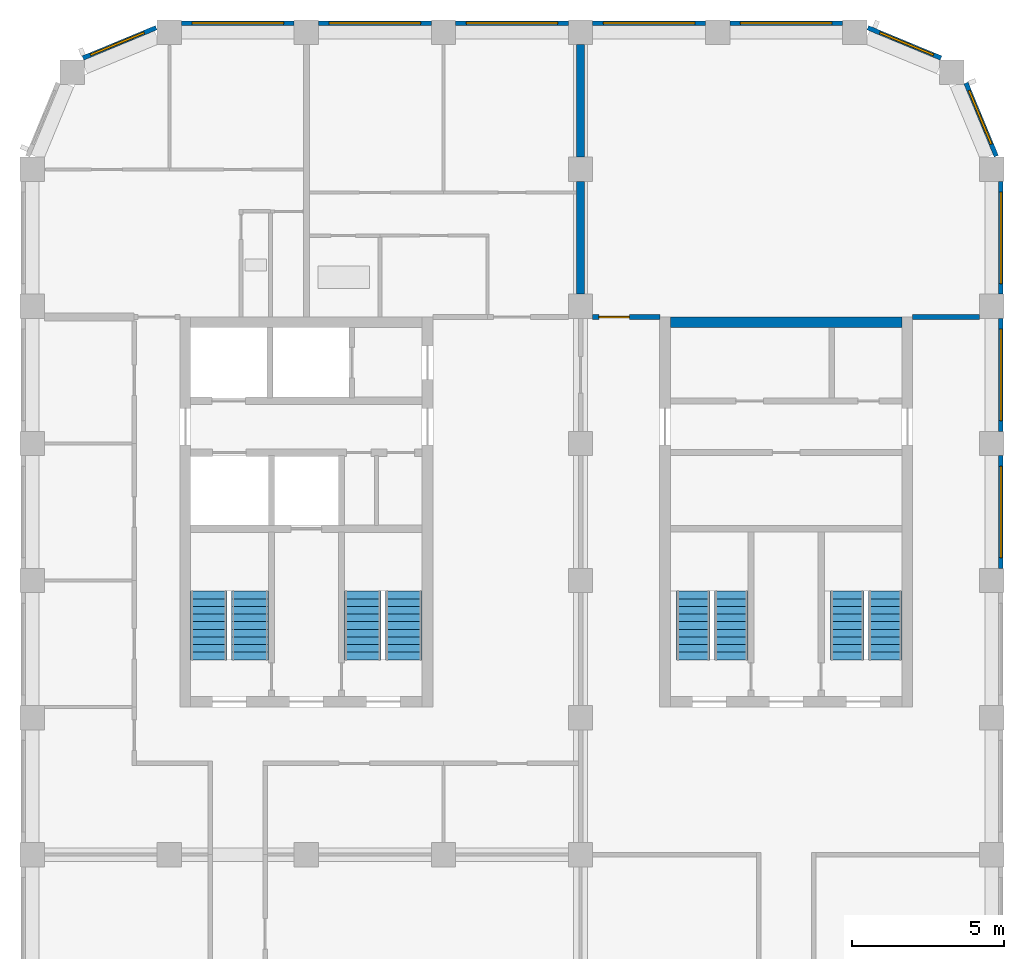
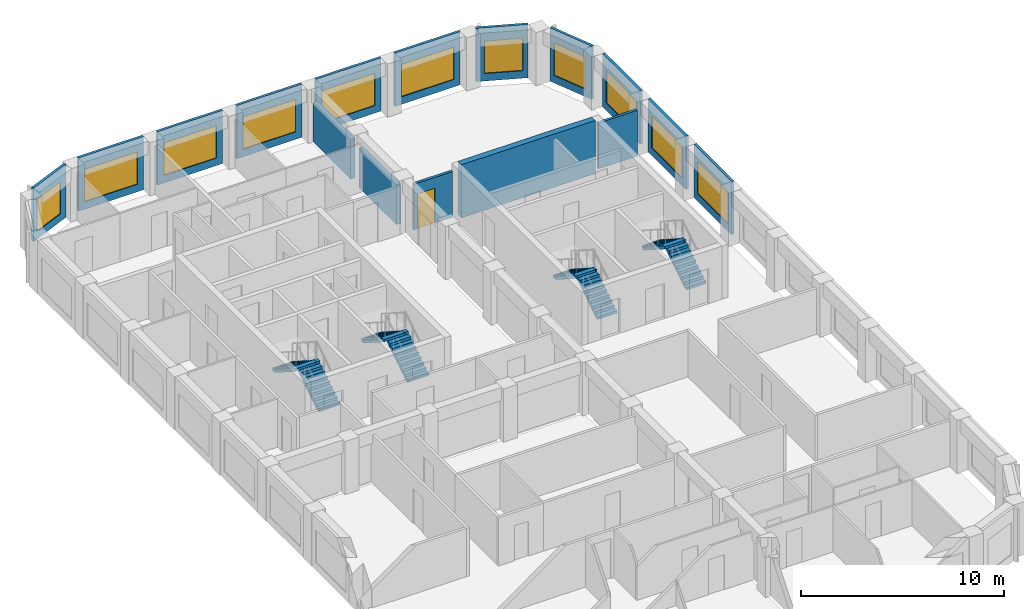
# One storey, part 7 of 9: 16 walls, 11 windows, 8 stair flights, 1 door, 12 openings, 4 elements without a shape of their own.
"""IFC4 building model written with IfcOpenShell, lengths in metres."""

from ifc_helpers import new_model, si_unit, direction, frame, frame_2d, origin, place, context, subcontext, project, spatial, polyline, rectangle, outline, extrude, material, layer, layer_set, type_object, element, fill, aggregate, save


model = new_model("IFC4")

# Units and contexts
model_context = context("Model", 3, precision=1e-05, world=origin(), true_north=direction((0.0, 1.0)))
body_context = subcontext(model_context, "Body", "Model", "MODEL_VIEW")
ifc_project = project(units=[si_unit("LENGTHUNIT", "METRE"), si_unit("AREAUNIT", "SQUARE_METRE"), si_unit("VOLUMEUNIT", "CUBIC_METRE"), si_unit("PLANEANGLEUNIT", "RADIAN"), si_unit("MASSUNIT", "GRAM", prefix="KILO")], contexts=[model_context])

# Site, building, storey
site_placement = place(None, origin())
site = spatial("IfcSite", under=ifc_project, at=site_placement, CompositionType="ELEMENT")
building_placement = place(site_placement, origin())
building = spatial("IfcBuilding", under=site, at=building_placement, Name="Girih Gate Residences", CompositionType="ELEMENT")
storey_placement = place(building_placement, frame((0.0, 0.0, 226.094970703125)))
storey = spatial("IfcBuildingStorey", under=building, at=storey_placement, Name="L63", CompositionType="ELEMENT", Elevation=226.094970703125)

# Walls
ifc_material_1 = material(Name="Gypsum board on steel studs", Category="steel")
ifc_layer_1 = layer(ifc_material_1, 0.25)
ifc_layer_set_1 = layer_set([ifc_layer_1], Name="Acoustic separating wall 250 mm")
wall_type_1 = type_object("IfcWallType", Name="Acoustic separating wall 250 mm", PredefinedType="PARTITIONING", material=ifc_layer_set_1)
for number, where, z_axis, x_axis, name in (
    (1, (18.0, 45.39990234375, 0.0), (0.0, 0.0, 1.0), (0.0, 1.0, 0.0), "L63 partition"),
    (2, (18.0, 40.89990234375, 0.0), (0.0, 0.0, 1.0), (0.0, 1.0, 0.0), "L63 partition"),
):
    element("IfcWall", number, at=place(storey_placement, frame(where, z_axis=z_axis, x_axis=x_axis)), inside=storey, type_object=wall_type_1, Name=name, PredefinedType="PARTITIONING", context=body_context, shape_type="SweptSolid", body=[
        extrude(rectangle(XDim=3.7001953125, YDim=0.25, at=frame_2d((1.85009765625, 0.0))), origin(), (0.0, 0.0, 1.0), 2.380126953125),
    ])

# Wall, opening, door
ifc_layer_2 = layer(ifc_material_1, 0.14990234375)
ifc_layer_set_2 = layer_set([ifc_layer_2], Name="Compartment wall 150 mm")
wall_type_2 = type_object("IfcWallType", Name="Compartment wall 150 mm", PredefinedType="PARTITIONING", material=ifc_layer_set_2)
wall_1_placement = place(storey_placement, frame((18.39990234375, 40.14990234375, 0.0), z_axis=(0.0, 0.0, 1.0), x_axis=(1.0, 0.0, 0.0)))
wall_1 = element("IfcWall", 3, at=wall_1_placement, inside=storey, type_object=wall_type_2, Name="L63 partition", PredefinedType="PARTITIONING", context=body_context, shape_type="SweptSolid", body=[
    extrude(rectangle(XDim=2.2001953125, YDim=0.14990234375, at=frame_2d((1.10009765625, 0.0))), origin(), (0.0, 0.0, 1.0), 2.75),
])
opening_1_placement = place(wall_1_placement, frame((0.199951171875, 0.0, 0.0)))
opening_1 = element("IfcOpeningElement", 4, at=opening_1_placement, cuts=wall_1, Name="Opening A63-025", PredefinedType="OPENING", context=body_context, shape_type="SweptSolid", body=[
    extrude(rectangle(XDim=1.0, YDim=2.10009765625, at=frame_2d((0.5, 1.050048828125))), frame((0.0, 0.0849609375, 0.0), z_axis=(0.0, -1.0, 0.0), x_axis=(1.0, 0.0, 0.0)), (0.0, 0.0, 1.0), 0.169921875),
])
ifc_material_2 = material(Name="Timber, fire-rated core", Category="wood")
door_type = type_object("IfcDoorType", Name="Amenity room door 1000x2100 FD30S", OperationType="NOTDEFINED", PredefinedType="DOOR", material=ifc_material_2)
door_placement = place(opening_1_placement, origin())
door = element("IfcDoor", 5, at=door_placement, inside=storey, type_object=door_type, Name="Door A63-025", OperationType="SINGLE_SWING_LEFT", OverallHeight=2.10009765625, OverallWidth=1.0, PredefinedType="DOOR", context=body_context, shape_type="SweptSolid", body=[
    extrude(rectangle(XDim=1.0, YDim=2.10009765625, at=frame_2d((0.5, 1.050048828125))), frame((0.0, 0.02490234375, 0.0), z_axis=(0.0, -1.0, 0.0), x_axis=(1.0, 0.0, 0.0)), (0.0, 0.0, 1.0), 0.050048828125),
])
fill(opening_1, door)

# Wall
wall_2_placement = place(storey_placement, frame((28.89990234375, 40.14990234375, 0.0), z_axis=(0.0, 0.0, 1.0), x_axis=(1.0, 0.0, 0.0)))
element("IfcWall", 6, at=wall_2_placement, inside=storey, type_object=wall_type_2, Name="L63 partition", PredefinedType="PARTITIONING", context=body_context, shape_type="SweptSolid", body=[
    extrude(rectangle(XDim=2.2001953125, YDim=0.14990234375, at=frame_2d((1.10009765625, 0.0))), origin(), (0.0, 0.0, 1.0), 2.75),
])

# Wall, opening, window
ifc_material_3 = material(Name="Precast concrete C50/60", Category="concrete")
ifc_layer_3 = layer(ifc_material_3, 0.050048828125, Name="Outer leaf")
ifc_material_4 = material(Name="Rigid PIR insulation")
ifc_layer_4 = layer(ifc_material_4, 0.06005859375, Name="Insulation")
ifc_material_5 = material(Name="Precast concrete C40/50", Category="concrete")
ifc_layer_5 = layer(ifc_material_5, 0.0400390625, Name="Inner leaf")
ifc_layer_set_3 = layer_set([ifc_layer_3, ifc_layer_4, ifc_layer_5], Name="Precast concrete C50/60 external wall 150")
wall_type_3 = type_object("IfcWallType", Name="Precast concrete C50/60 external wall 150", PredefinedType="SOLIDWALL", material=ifc_layer_set_3)
wall_3_placement = place(storey_placement, frame((31.800048828125, 35.60009765625, 0.0), z_axis=(0.0, 0.0, 1.0), x_axis=(0.0, -1.0, 0.0)))
wall_3 = element("IfcWall", 7, at=wall_3_placement, inside=storey, type_object=wall_type_3, Name="External wall E0315_0045.6", PredefinedType="SOLIDWALL", context=body_context, shape_type="SweptSolid", body=[
    extrude(rectangle(XDim=3.7001953125, YDim=0.14990234375, at=frame_2d((1.85009765625, 0.0))), origin(), (0.0, 0.0, 1.0), 3.199951171875),
])
opening_2_placement = place(wall_3_placement, frame((0.35009765625, 0.0, 0.449951171875)))
opening_2 = element("IfcOpeningElement", 8, at=opening_2_placement, cuts=wall_3, Name="Opening W-1D", PredefinedType="OPENING", context=body_context, shape_type="SweptSolid", body=[
    extrude(rectangle(XDim=3.0, YDim=1.949951171875, at=frame_2d((1.5, 0.97509765625))), frame((0.0, 0.0849609375, 0.0), z_axis=(0.0, -1.0, 0.0), x_axis=(1.0, 0.0, 0.0)), (0.0, 0.0, 1.0), 0.169921875),
])
ifc_material_6 = material(Name="Double glazing in aluminium frame", Category="aluminium")
window_type_1 = type_object("IfcWindowType", Name="Window W-1D 3000x1950", PartitioningType="SINGLE_PANEL", PredefinedType="WINDOW", material=ifc_material_6)
window_1_placement = place(opening_2_placement, origin())
window_1 = element("IfcWindow", 9, at=window_1_placement, inside=storey, type_object=window_type_1, Name="Window W-1D E0315_0045.6", OverallHeight=1.949951171875, OverallWidth=3.0, PartitioningType="SINGLE_PANEL", PredefinedType="WINDOW", context=body_context, shape_type="SweptSolid", body=[
    extrude(rectangle(XDim=3.0, YDim=1.949951171875, at=frame_2d((1.5, 0.97509765625))), frame((0.0, 0.030029296875, 0.0), z_axis=(0.0, -1.0, 0.0), x_axis=(1.0, 0.0, 0.0)), (0.0, 0.0, 1.0), 0.06005859375),
])
fill(opening_2, window_1)

wall_4_placement = place(storey_placement, frame((31.800048828125, 40.10009765625, 0.0), z_axis=(0.0, 0.0, 1.0), x_axis=(0.0, -1.0, 0.0)))
wall_4 = element("IfcWall", 10, at=wall_4_placement, inside=storey, type_object=wall_type_3, Name="External wall E0315_0045.7", PredefinedType="SOLIDWALL", context=body_context, shape_type="SweptSolid", body=[
    extrude(rectangle(XDim=3.7001953125, YDim=0.14990234375, at=frame_2d((1.85009765625, 0.0))), origin(), (0.0, 0.0, 1.0), 3.199951171875),
])
opening_3_placement = place(wall_4_placement, frame((0.35009765625, 0.0, 0.449951171875)))
opening_3 = element("IfcOpeningElement", 11, at=opening_3_placement, cuts=wall_4, Name="Opening W-1D", PredefinedType="OPENING", context=body_context, shape_type="SweptSolid", body=[
    extrude(rectangle(XDim=3.0, YDim=1.949951171875, at=frame_2d((1.5, 0.97509765625))), frame((0.0, 0.0849609375, 0.0), z_axis=(0.0, -1.0, 0.0), x_axis=(1.0, 0.0, 0.0)), (0.0, 0.0, 1.0), 0.169921875),
])
window_2_placement = place(opening_3_placement, origin())
window_2 = element("IfcWindow", 12, at=window_2_placement, inside=storey, type_object=window_type_1, Name="Window W-1D E0315_0045.7", OverallHeight=1.949951171875, OverallWidth=3.0, PartitioningType="SINGLE_PANEL", PredefinedType="WINDOW", context=body_context, shape_type="SweptSolid", body=[
    extrude(rectangle(XDim=3.0, YDim=1.949951171875, at=frame_2d((1.5, 0.97509765625))), frame((0.0, 0.030029296875, 0.0), z_axis=(0.0, -1.0, 0.0), x_axis=(1.0, 0.0, 0.0)), (0.0, 0.0, 1.0), 0.06005859375),
])
fill(opening_3, window_2)

wall_5_placement = place(storey_placement, frame((31.800048828125, 44.60009765625, 0.0), z_axis=(0.0, 0.0, 1.0), x_axis=(0.0, -1.0, 0.0)))
wall_5 = element("IfcWall", 13, at=wall_5_placement, inside=storey, type_object=wall_type_3, Name="External wall E0315_0045.8", PredefinedType="SOLIDWALL", context=body_context, shape_type="SweptSolid", body=[
    extrude(rectangle(XDim=3.7001953125, YDim=0.14990234375, at=frame_2d((1.85009765625, 0.0))), origin(), (0.0, 0.0, 1.0), 3.199951171875),
])
opening_4_placement = place(wall_5_placement, frame((0.35009765625, 0.0, 0.449951171875)))
opening_4 = element("IfcOpeningElement", 14, at=opening_4_placement, cuts=wall_5, Name="Opening W-1D", PredefinedType="OPENING", context=body_context, shape_type="SweptSolid", body=[
    extrude(rectangle(XDim=3.0, YDim=1.949951171875, at=frame_2d((1.5, 0.97509765625))), frame((0.0, 0.0849609375, 0.0), z_axis=(0.0, -1.0, 0.0), x_axis=(1.0, 0.0, 0.0)), (0.0, 0.0, 1.0), 0.169921875),
])
window_3_placement = place(opening_4_placement, origin())
window_3 = element("IfcWindow", 15, at=window_3_placement, inside=storey, type_object=window_type_1, Name="Window W-1D E0315_0045.8", OverallHeight=1.949951171875, OverallWidth=3.0, PartitioningType="SINGLE_PANEL", PredefinedType="WINDOW", context=body_context, shape_type="SweptSolid", body=[
    extrude(rectangle(XDim=3.0, YDim=1.949951171875, at=frame_2d((1.5, 0.97509765625))), frame((0.0, 0.030029296875, 0.0), z_axis=(0.0, -1.0, 0.0), x_axis=(1.0, 0.0, 0.0)), (0.0, 0.0, 1.0), 0.06005859375),
])
fill(opening_4, window_3)

wall_6_placement = place(storey_placement, frame((30.6513671875, 47.8330078125, 0.0), z_axis=(0.0, 0.0, 1.0), x_axis=(0.382669406082, -0.923885342263, 0.0)))
wall_6 = element("IfcWall", 16, at=wall_6_placement, inside=storey, type_object=wall_type_3, Name="External wall NE0315_0450.0", PredefinedType="SOLIDWALL", context=body_context, shape_type="SweptSolid", body=[
    extrude(rectangle(XDim=2.602294921875, YDim=0.14990234375, at=frame_2d((1.30126953125, 0.0))), origin(), (0.0, 0.0, 1.0), 3.199951171875),
])
opening_5_placement = place(wall_6_placement, frame((0.27001953125, 0.0, 0.449951171875)))
opening_5 = element("IfcOpeningElement", 17, at=opening_5_placement, cuts=wall_6, Name="Opening W-2G", PredefinedType="OPENING", context=body_context, shape_type="SweptSolid", body=[
    extrude(rectangle(XDim=1.89990234375, YDim=1.949951171875, at=frame_2d((0.949951171875, 0.97509765625))), frame((0.0, 0.0849609375, 0.0), z_axis=(0.0, -1.0, 0.0), x_axis=(1.0, 0.0, 0.0)), (0.0, 0.0, 1.0), 0.169921875),
])
window_type_2 = type_object("IfcWindowType", Name="Window W-2G 1900x1950", PartitioningType="SINGLE_PANEL", PredefinedType="WINDOW", material=ifc_material_6)
window_4_placement = place(opening_5_placement, origin())
window_4 = element("IfcWindow", 18, at=window_4_placement, inside=storey, type_object=window_type_2, Name="Window W-2G NE0315_0450.0", OverallHeight=1.949951171875, OverallWidth=1.89990234375, PartitioningType="SINGLE_PANEL", PredefinedType="WINDOW", context=body_context, shape_type="SweptSolid", body=[
    extrude(rectangle(XDim=1.89990234375, YDim=1.949951171875, at=frame_2d((0.949951171875, 0.97509765625))), frame((0.0, 0.030029296875, 0.0), z_axis=(0.0, -1.0, 0.0), x_axis=(1.0, 0.0, 0.0)), (0.0, 0.0, 1.0), 0.06005859375),
])
fill(opening_5, window_4)

wall_7_placement = place(storey_placement, frame((27.4287109375, 49.647216796875, 0.0), z_axis=(0.0, 0.0, 1.0), x_axis=(0.923885342263, -0.382669406082, 0.0)))
wall_7 = element("IfcWall", 19, at=wall_7_placement, inside=storey, type_object=wall_type_3, Name="External wall NE0302_0482.0", PredefinedType="SOLIDWALL", context=body_context, shape_type="SweptSolid", body=[
    extrude(rectangle(XDim=2.602294921875, YDim=0.14990234375, at=frame_2d((1.30126953125, 0.0))), origin(), (0.0, 0.0, 1.0), 3.199951171875),
])
opening_6_placement = place(wall_7_placement, frame((0.432373046875, 0.0, 0.449951171875)))
opening_6 = element("IfcOpeningElement", 20, at=opening_6_placement, cuts=wall_7, Name="Opening W-2G", PredefinedType="OPENING", context=body_context, shape_type="SweptSolid", body=[
    extrude(rectangle(XDim=1.89990234375, YDim=1.949951171875, at=frame_2d((0.949951171875, 0.97509765625))), frame((0.0, 0.0849609375, 0.0), z_axis=(0.0, -1.0, 0.0), x_axis=(1.0, 0.0, 0.0)), (0.0, 0.0, 1.0), 0.169921875),
])
window_5_placement = place(opening_6_placement, origin())
window_5 = element("IfcWindow", 21, at=window_5_placement, inside=storey, type_object=window_type_2, Name="Window W-2G NE0302_0482.0", OverallHeight=1.949951171875, OverallWidth=1.89990234375, PartitioningType="SINGLE_PANEL", PredefinedType="WINDOW", context=body_context, shape_type="SweptSolid", body=[
    extrude(rectangle(XDim=1.89990234375, YDim=1.949951171875, at=frame_2d((0.949951171875, 0.97509765625))), frame((0.0, 0.030029296875, 0.0), z_axis=(0.0, -1.0, 0.0), x_axis=(1.0, 0.0, 0.0)), (0.0, 0.0, 1.0), 0.06005859375),
])
fill(opening_6, window_5)

wall_8_placement = place(storey_placement, frame((22.89990234375, 49.800048828125, 0.0), z_axis=(0.0, 0.0, 1.0), x_axis=(1.0, 0.0, 0.0)))
wall_8 = element("IfcWall", 22, at=wall_8_placement, inside=storey, type_object=wall_type_3, Name="External wall N0270_0495.0", PredefinedType="SOLIDWALL", context=body_context, shape_type="SweptSolid", body=[
    extrude(rectangle(XDim=3.7001953125, YDim=0.14990234375, at=frame_2d((1.85009765625, 0.0))), origin(), (0.0, 0.0, 1.0), 3.199951171875),
])
opening_7_placement = place(wall_8_placement, frame((0.35009765625, 0.0, 0.449951171875)))
opening_7 = element("IfcOpeningElement", 23, at=opening_7_placement, cuts=wall_8, Name="Opening W-1D", PredefinedType="OPENING", context=body_context, shape_type="SweptSolid", body=[
    extrude(rectangle(XDim=3.0, YDim=1.949951171875, at=frame_2d((1.5, 0.97509765625))), frame((0.0, 0.0849609375, 0.0), z_axis=(0.0, -1.0, 0.0), x_axis=(1.0, 0.0, 0.0)), (0.0, 0.0, 1.0), 0.169921875),
])
window_6_placement = place(opening_7_placement, origin())
window_6 = element("IfcWindow", 24, at=window_6_placement, inside=storey, type_object=window_type_1, Name="Window W-1D N0270_0495.0", OverallHeight=1.949951171875, OverallWidth=3.0, PartitioningType="SINGLE_PANEL", PredefinedType="WINDOW", context=body_context, shape_type="SweptSolid", body=[
    extrude(rectangle(XDim=3.0, YDim=1.949951171875, at=frame_2d((1.5, 0.97509765625))), frame((0.0, 0.030029296875, 0.0), z_axis=(0.0, -1.0, 0.0), x_axis=(1.0, 0.0, 0.0)), (0.0, 0.0, 1.0), 0.06005859375),
])
fill(opening_7, window_6)

wall_9_placement = place(storey_placement, frame((18.39990234375, 49.800048828125, 0.0), z_axis=(0.0, 0.0, 1.0), x_axis=(1.0, 0.0, 0.0)))
wall_9 = element("IfcWall", 25, at=wall_9_placement, inside=storey, type_object=wall_type_3, Name="External wall N0270_0495.1", PredefinedType="SOLIDWALL", context=body_context, shape_type="SweptSolid", body=[
    extrude(rectangle(XDim=3.7001953125, YDim=0.14990234375, at=frame_2d((1.85009765625, 0.0))), origin(), (0.0, 0.0, 1.0), 3.199951171875),
])
opening_8_placement = place(wall_9_placement, frame((0.35009765625, 0.0, 0.449951171875)))
opening_8 = element("IfcOpeningElement", 26, at=opening_8_placement, cuts=wall_9, Name="Opening W-1D", PredefinedType="OPENING", context=body_context, shape_type="SweptSolid", body=[
    extrude(rectangle(XDim=3.0, YDim=1.949951171875, at=frame_2d((1.5, 0.97509765625))), frame((0.0, 0.0849609375, 0.0), z_axis=(0.0, -1.0, 0.0), x_axis=(1.0, 0.0, 0.0)), (0.0, 0.0, 1.0), 0.169921875),
])
window_7_placement = place(opening_8_placement, origin())
window_7 = element("IfcWindow", 27, at=window_7_placement, inside=storey, type_object=window_type_1, Name="Window W-1D N0270_0495.1", OverallHeight=1.949951171875, OverallWidth=3.0, PartitioningType="SINGLE_PANEL", PredefinedType="WINDOW", context=body_context, shape_type="SweptSolid", body=[
    extrude(rectangle(XDim=3.0, YDim=1.949951171875, at=frame_2d((1.5, 0.97509765625))), frame((0.0, 0.030029296875, 0.0), z_axis=(0.0, -1.0, 0.0), x_axis=(1.0, 0.0, 0.0)), (0.0, 0.0, 1.0), 0.06005859375),
])
fill(opening_8, window_7)

wall_10_placement = place(storey_placement, frame((13.89990234375, 49.800048828125, 0.0), z_axis=(0.0, 0.0, 1.0), x_axis=(1.0, 0.0, 0.0)))
wall_10 = element("IfcWall", 28, at=wall_10_placement, inside=storey, type_object=wall_type_3, Name="External wall N0270_0495.2", PredefinedType="SOLIDWALL", context=body_context, shape_type="SweptSolid", body=[
    extrude(rectangle(XDim=3.7001953125, YDim=0.14990234375, at=frame_2d((1.85009765625, 0.0))), origin(), (0.0, 0.0, 1.0), 3.199951171875),
])
opening_9_placement = place(wall_10_placement, frame((0.35009765625, 0.0, 0.449951171875)))
opening_9 = element("IfcOpeningElement", 29, at=opening_9_placement, cuts=wall_10, Name="Opening W-1D", PredefinedType="OPENING", context=body_context, shape_type="SweptSolid", body=[
    extrude(rectangle(XDim=3.0, YDim=1.949951171875, at=frame_2d((1.5, 0.97509765625))), frame((0.0, 0.0849609375, 0.0), z_axis=(0.0, -1.0, 0.0), x_axis=(1.0, 0.0, 0.0)), (0.0, 0.0, 1.0), 0.169921875),
])
window_8_placement = place(opening_9_placement, origin())
window_8 = element("IfcWindow", 30, at=window_8_placement, inside=storey, type_object=window_type_1, Name="Window W-1D N0270_0495.2", OverallHeight=1.949951171875, OverallWidth=3.0, PartitioningType="SINGLE_PANEL", PredefinedType="WINDOW", context=body_context, shape_type="SweptSolid", body=[
    extrude(rectangle(XDim=3.0, YDim=1.949951171875, at=frame_2d((1.5, 0.97509765625))), frame((0.0, 0.030029296875, 0.0), z_axis=(0.0, -1.0, 0.0), x_axis=(1.0, 0.0, 0.0)), (0.0, 0.0, 1.0), 0.06005859375),
])
fill(opening_9, window_8)

wall_11_placement = place(storey_placement, frame((9.39990234375, 49.800048828125, 0.0), z_axis=(0.0, 0.0, 1.0), x_axis=(1.0, 0.0, 0.0)))
wall_11 = element("IfcWall", 31, at=wall_11_placement, inside=storey, type_object=wall_type_3, Name="External wall N0270_0495.3", PredefinedType="SOLIDWALL", context=body_context, shape_type="SweptSolid", body=[
    extrude(rectangle(XDim=3.7001953125, YDim=0.14990234375, at=frame_2d((1.85009765625, 0.0))), origin(), (0.0, 0.0, 1.0), 3.199951171875),
])
opening_10_placement = place(wall_11_placement, frame((0.35009765625, 0.0, 0.449951171875)))
opening_10 = element("IfcOpeningElement", 32, at=opening_10_placement, cuts=wall_11, Name="Opening W-1D", PredefinedType="OPENING", context=body_context, shape_type="SweptSolid", body=[
    extrude(rectangle(XDim=3.0, YDim=1.949951171875, at=frame_2d((1.5, 0.97509765625))), frame((0.0, 0.0849609375, 0.0), z_axis=(0.0, -1.0, 0.0), x_axis=(1.0, 0.0, 0.0)), (0.0, 0.0, 1.0), 0.169921875),
])
window_9_placement = place(opening_10_placement, origin())
window_9 = element("IfcWindow", 33, at=window_9_placement, inside=storey, type_object=window_type_1, Name="Window W-1D N0270_0495.3", OverallHeight=1.949951171875, OverallWidth=3.0, PartitioningType="SINGLE_PANEL", PredefinedType="WINDOW", context=body_context, shape_type="SweptSolid", body=[
    extrude(rectangle(XDim=3.0, YDim=1.949951171875, at=frame_2d((1.5, 0.97509765625))), frame((0.0, 0.030029296875, 0.0), z_axis=(0.0, -1.0, 0.0), x_axis=(1.0, 0.0, 0.0)), (0.0, 0.0, 1.0), 0.06005859375),
])
fill(opening_10, window_9)

wall_12_placement = place(storey_placement, frame((4.89990234375, 49.800048828125, 0.0), z_axis=(0.0, 0.0, 1.0), x_axis=(1.0, 0.0, 0.0)))
wall_12 = element("IfcWall", 34, at=wall_12_placement, inside=storey, type_object=wall_type_3, Name="External wall N0270_0495.4", PredefinedType="SOLIDWALL", context=body_context, shape_type="SweptSolid", body=[
    extrude(rectangle(XDim=3.7001953125, YDim=0.14990234375, at=frame_2d((1.85009765625, 0.0))), origin(), (0.0, 0.0, 1.0), 3.199951171875),
])
opening_11_placement = place(wall_12_placement, frame((0.35009765625, 0.0, 0.449951171875)))
opening_11 = element("IfcOpeningElement", 35, at=opening_11_placement, cuts=wall_12, Name="Opening W-1D", PredefinedType="OPENING", context=body_context, shape_type="SweptSolid", body=[
    extrude(rectangle(XDim=3.0, YDim=1.949951171875, at=frame_2d((1.5, 0.97509765625))), frame((0.0, 0.0849609375, 0.0), z_axis=(0.0, -1.0, 0.0), x_axis=(1.0, 0.0, 0.0)), (0.0, 0.0, 1.0), 0.169921875),
])
window_10_placement = place(opening_11_placement, origin())
window_10 = element("IfcWindow", 36, at=window_10_placement, inside=storey, type_object=window_type_1, Name="Window W-1D N0270_0495.4", OverallHeight=1.949951171875, OverallWidth=3.0, PartitioningType="SINGLE_PANEL", PredefinedType="WINDOW", context=body_context, shape_type="SweptSolid", body=[
    extrude(rectangle(XDim=3.0, YDim=1.949951171875, at=frame_2d((1.5, 0.97509765625))), frame((0.0, 0.030029296875, 0.0), z_axis=(0.0, -1.0, 0.0), x_axis=(1.0, 0.0, 0.0)), (0.0, 0.0, 1.0), 0.06005859375),
])
fill(opening_11, window_10)

wall_13_placement = place(storey_placement, frame((1.6669921875, 48.6513671875, 0.0), z_axis=(0.0, 0.0, 1.0), x_axis=(0.923885342263, 0.382669406082, 0.0)))
wall_13 = element("IfcWall", 37, at=wall_13_placement, inside=storey, type_object=wall_type_3, Name="External wall NW0045_0495.0", PredefinedType="SOLIDWALL", context=body_context, shape_type="SweptSolid", body=[
    extrude(rectangle(XDim=2.602294921875, YDim=0.14990234375, at=frame_2d((1.30126953125, 0.0))), origin(), (0.0, 0.0, 1.0), 3.199951171875),
])
opening_12_placement = place(wall_13_placement, frame((0.27001953125, 0.0, 0.449951171875)))
opening_12 = element("IfcOpeningElement", 38, at=opening_12_placement, cuts=wall_13, Name="Opening W-2G", PredefinedType="OPENING", context=body_context, shape_type="SweptSolid", body=[
    extrude(rectangle(XDim=1.89990234375, YDim=1.949951171875, at=frame_2d((0.949951171875, 0.97509765625))), frame((0.0, 0.0849609375, 0.0), z_axis=(0.0, -1.0, 0.0), x_axis=(1.0, 0.0, 0.0)), (0.0, 0.0, 1.0), 0.169921875),
])
window_11_placement = place(opening_12_placement, origin())
window_11 = element("IfcWindow", 39, at=window_11_placement, inside=storey, type_object=window_type_2, Name="Window W-2G NW0045_0495.0", OverallHeight=1.949951171875, OverallWidth=1.89990234375, PartitioningType="SINGLE_PANEL", PredefinedType="WINDOW", context=body_context, shape_type="SweptSolid", body=[
    extrude(rectangle(XDim=1.89990234375, YDim=1.949951171875, at=frame_2d((0.949951171875, 0.97509765625))), frame((0.0, 0.030029296875, 0.0), z_axis=(0.0, -1.0, 0.0), x_axis=(1.0, 0.0, 0.0)), (0.0, 0.0, 1.0), 0.06005859375),
])
fill(opening_12, window_11)

# Wall
ifc_material_7 = material(Name="Concrete C40/50", Category="concrete")
ifc_layer_6 = layer(ifc_material_7, 0.35009765625)
ifc_layer_set_4 = layer_set([ifc_layer_6], Name="Stair core wall RC 350 Concrete C40/50")
wall_type_4 = type_object("IfcWallType", Name="Stair core wall RC 350 Concrete C40/50", PredefinedType="SOLIDWALL", material=ifc_layer_set_4)
wall_14_placement = place(storey_placement, frame((20.949951171875, 39.97509765625, 0.0), z_axis=(0.0, 0.0, 1.0), x_axis=(1.0, 0.0, 0.0)))
element("IfcWall", 40, at=wall_14_placement, inside=storey, type_object=wall_type_4, Name="Stair core wall C-N L63", PredefinedType="SOLIDWALL", context=body_context, shape_type="SweptSolid", body=[
    extrude(rectangle(XDim=7.60009765625, YDim=0.35009765625, at=frame_2d((3.800048828125, 0.0))), origin(), (0.0, 0.0, 1.0), 3.199951171875),
])

# Stair, stair flights
stair_type_1 = type_object("IfcStairType", Name="Exit stair C core", PredefinedType="HALF_TURN_STAIR", material=ifc_material_7)
stair_1_placement = place(storey_placement, origin())
stair_1 = element("IfcStair", 41, at=stair_1_placement, inside=storey, type_object=stair_type_1, Name="L63 Exit Stair ST-C1", PredefinedType="HALF_TURN_STAIR")
stair_flight_type_1 = type_object("IfcStairFlightType", Name="Stair flight 1100", PredefinedType="STRAIGHT", material=ifc_material_7)
stair_flight_1_placement = place(storey_placement, frame((22.949951171875, 28.89990234375, 0.0), z_axis=(0.0, 0.0, 1.0), x_axis=(0.0, 1.0, 0.0)))
stair_flight_1 = element("IfcStairFlight", 42, at=stair_flight_1_placement, type_object=stair_flight_type_1, Name="ST-C1 flight 1", NumberOfRisers=10, NumberOfTreads=9, PredefinedType="STRAIGHT", RiserHeight=0.16, TreadLength=0.25, context=body_context, shape_type="SweptSolid", body=[
    extrude(outline(polyline([(0.0, 0.0), (0.0, 0.159912109375), (0.25, 0.159912109375), (0.25, 0.320068359375), (0.5, 0.320068359375), (0.5, 0.47998046875), (0.75, 0.47998046875), (0.75, 0.639892578125), (1.0, 0.639892578125), (1.0, 0.800048828125), (1.25, 0.800048828125), (1.25, 0.9599609375), (1.5, 0.9599609375), (1.5, 1.1201171875), (1.75, 1.1201171875), (1.75, 1.280029296875), (2.0, 1.280029296875), (2.0, 1.43994140625), (2.25, 1.43994140625), (2.25, 1.60009765625), (2.25, 1.29736328125), (0.222900390625, 0.0), (0.0, 0.0)])), frame((0.0, 0.550048828125, 0.0), z_axis=(0.0, -1.0, 0.0), x_axis=(1.0, 0.0, 0.0)), (0.0, 0.0, 1.0), 1.10009765625),
])
stair_flight_2_placement = place(storey_placement, frame((21.699951171875, 31.14990234375, 1.60009765625), z_axis=(0.0, 0.0, 1.0), x_axis=(0.0, -1.0, 0.0)))
stair_flight_2 = element("IfcStairFlight", 43, at=stair_flight_2_placement, type_object=stair_flight_type_1, Name="ST-C1 flight 2", NumberOfRisers=10, NumberOfTreads=9, PredefinedType="STRAIGHT", RiserHeight=0.16, TreadLength=0.25, context=body_context, shape_type="SweptSolid", body=[
    extrude(outline(polyline([(0.0, 0.0), (0.0, 0.159912109375), (0.25, 0.159912109375), (0.25, 0.320068359375), (0.5, 0.320068359375), (0.5, 0.47998046875), (0.75, 0.47998046875), (0.75, 0.639892578125), (1.0, 0.639892578125), (1.0, 0.800048828125), (1.25, 0.800048828125), (1.25, 0.9599609375), (1.5, 0.9599609375), (1.5, 1.1201171875), (1.75, 1.1201171875), (1.75, 1.280029296875), (2.0, 1.280029296875), (2.0, 1.43994140625), (2.25, 1.43994140625), (2.25, 1.60009765625), (2.25, 1.29736328125), (0.222900390625, 0.0), (0.0, 0.0)])), frame((0.0, 0.550048828125, 0.0), z_axis=(0.0, -1.0, 0.0), x_axis=(1.0, 0.0, 0.0)), (0.0, 0.0, 1.0), 1.10009765625),
])
aggregate(stair_1, [stair_flight_1, stair_flight_2])

stair_2_placement = place(storey_placement, origin())
stair_2 = element("IfcStair", 44, at=stair_2_placement, inside=storey, type_object=stair_type_1, Name="L63 Exit Stair ST-C2", PredefinedType="HALF_TURN_STAIR")
stair_flight_3_placement = place(storey_placement, frame((28.0, 28.89990234375, 0.0), z_axis=(0.0, 0.0, 1.0), x_axis=(0.0, 1.0, 0.0)))
stair_flight_3 = element("IfcStairFlight", 45, at=stair_flight_3_placement, type_object=stair_flight_type_1, Name="ST-C2 flight 1", NumberOfRisers=10, NumberOfTreads=9, PredefinedType="STRAIGHT", RiserHeight=0.16, TreadLength=0.25, context=body_context, shape_type="SweptSolid", body=[
    extrude(outline(polyline([(0.0, 0.0), (0.0, 0.159912109375), (0.25, 0.159912109375), (0.25, 0.320068359375), (0.5, 0.320068359375), (0.5, 0.47998046875), (0.75, 0.47998046875), (0.75, 0.639892578125), (1.0, 0.639892578125), (1.0, 0.800048828125), (1.25, 0.800048828125), (1.25, 0.9599609375), (1.5, 0.9599609375), (1.5, 1.1201171875), (1.75, 1.1201171875), (1.75, 1.280029296875), (2.0, 1.280029296875), (2.0, 1.43994140625), (2.25, 1.43994140625), (2.25, 1.60009765625), (2.25, 1.29736328125), (0.222900390625, 0.0), (0.0, 0.0)])), frame((0.0, 0.550048828125, 0.0), z_axis=(0.0, -1.0, 0.0), x_axis=(1.0, 0.0, 0.0)), (0.0, 0.0, 1.0), 1.10009765625),
])
stair_flight_4_placement = place(storey_placement, frame((26.75, 31.14990234375, 1.60009765625), z_axis=(0.0, 0.0, 1.0), x_axis=(0.0, -1.0, 0.0)))
stair_flight_4 = element("IfcStairFlight", 46, at=stair_flight_4_placement, type_object=stair_flight_type_1, Name="ST-C2 flight 2", NumberOfRisers=10, NumberOfTreads=9, PredefinedType="STRAIGHT", RiserHeight=0.16, TreadLength=0.25, context=body_context, shape_type="SweptSolid", body=[
    extrude(outline(polyline([(0.0, 0.0), (0.0, 0.159912109375), (0.25, 0.159912109375), (0.25, 0.320068359375), (0.5, 0.320068359375), (0.5, 0.47998046875), (0.75, 0.47998046875), (0.75, 0.639892578125), (1.0, 0.639892578125), (1.0, 0.800048828125), (1.25, 0.800048828125), (1.25, 0.9599609375), (1.5, 0.9599609375), (1.5, 1.1201171875), (1.75, 1.1201171875), (1.75, 1.280029296875), (2.0, 1.280029296875), (2.0, 1.43994140625), (2.25, 1.43994140625), (2.25, 1.60009765625), (2.25, 1.29736328125), (0.222900390625, 0.0), (0.0, 0.0)])), frame((0.0, 0.550048828125, 0.0), z_axis=(0.0, -1.0, 0.0), x_axis=(1.0, 0.0, 0.0)), (0.0, 0.0, 1.0), 1.10009765625),
])
aggregate(stair_2, [stair_flight_3, stair_flight_4])

stair_type_2 = type_object("IfcStairType", Name="Exit stair", PredefinedType="HALF_TURN_STAIR", material=ifc_material_7)
stair_3_placement = place(storey_placement, origin())
stair_3 = element("IfcStair", 47, at=stair_3_placement, inside=storey, type_object=stair_type_2, Name="L63 Exit Stair ST-W1", PredefinedType="HALF_TURN_STAIR")
stair_flight_type_2 = type_object("IfcStairFlightType", Name="Stair flight 1200", PredefinedType="STRAIGHT", material=ifc_material_7)
stair_flight_5_placement = place(storey_placement, frame((7.14990234375, 28.89990234375, 0.0), z_axis=(0.0, 0.0, 1.0), x_axis=(0.0, 1.0, 0.0)))
stair_flight_5 = element("IfcStairFlight", 48, at=stair_flight_5_placement, type_object=stair_flight_type_2, Name="ST-W1 flight 1", NumberOfRisers=10, NumberOfTreads=9, PredefinedType="STRAIGHT", RiserHeight=0.16, TreadLength=0.25, context=body_context, shape_type="SweptSolid", body=[
    extrude(outline(polyline([(0.0, 0.0), (0.0, 0.159912109375), (0.25, 0.159912109375), (0.25, 0.320068359375), (0.5, 0.320068359375), (0.5, 0.47998046875), (0.75, 0.47998046875), (0.75, 0.639892578125), (1.0, 0.639892578125), (1.0, 0.800048828125), (1.25, 0.800048828125), (1.25, 0.9599609375), (1.5, 0.9599609375), (1.5, 1.1201171875), (1.75, 1.1201171875), (1.75, 1.280029296875), (2.0, 1.280029296875), (2.0, 1.43994140625), (2.25, 1.43994140625), (2.25, 1.60009765625), (2.25, 1.29736328125), (0.222900390625, 0.0), (0.0, 0.0)])), frame((0.0, 0.60009765625, 0.0), z_axis=(0.0, -1.0, 0.0), x_axis=(1.0, 0.0, 0.0)), (0.0, 0.0, 1.0), 1.199951171875),
])
stair_flight_6_placement = place(storey_placement, frame((5.800048828125, 31.14990234375, 1.60009765625), z_axis=(0.0, 0.0, 1.0), x_axis=(0.0, -1.0, 0.0)))
stair_flight_6 = element("IfcStairFlight", 49, at=stair_flight_6_placement, type_object=stair_flight_type_2, Name="ST-W1 flight 2", NumberOfRisers=10, NumberOfTreads=9, PredefinedType="STRAIGHT", RiserHeight=0.16, TreadLength=0.25, context=body_context, shape_type="SweptSolid", body=[
    extrude(outline(polyline([(0.0, 0.0), (0.0, 0.159912109375), (0.25, 0.159912109375), (0.25, 0.320068359375), (0.5, 0.320068359375), (0.5, 0.47998046875), (0.75, 0.47998046875), (0.75, 0.639892578125), (1.0, 0.639892578125), (1.0, 0.800048828125), (1.25, 0.800048828125), (1.25, 0.9599609375), (1.5, 0.9599609375), (1.5, 1.1201171875), (1.75, 1.1201171875), (1.75, 1.280029296875), (2.0, 1.280029296875), (2.0, 1.43994140625), (2.25, 1.43994140625), (2.25, 1.60009765625), (2.25, 1.29736328125), (0.222900390625, 0.0), (0.0, 0.0)])), frame((0.0, 0.60009765625, 0.0), z_axis=(0.0, -1.0, 0.0), x_axis=(1.0, 0.0, 0.0)), (0.0, 0.0, 1.0), 1.199951171875),
])
aggregate(stair_3, [stair_flight_5, stair_flight_6])

stair_4_placement = place(storey_placement, origin())
stair_4 = element("IfcStair", 50, at=stair_4_placement, inside=storey, type_object=stair_type_2, Name="L63 Exit Stair ST-W2", PredefinedType="HALF_TURN_STAIR")
stair_flight_7_placement = place(storey_placement, frame((12.199951171875, 28.89990234375, 0.0), z_axis=(0.0, 0.0, 1.0), x_axis=(0.0, 1.0, 0.0)))
stair_flight_7 = element("IfcStairFlight", 51, at=stair_flight_7_placement, type_object=stair_flight_type_2, Name="ST-W2 flight 1", NumberOfRisers=10, NumberOfTreads=9, PredefinedType="STRAIGHT", RiserHeight=0.16, TreadLength=0.25, context=body_context, shape_type="SweptSolid", body=[
    extrude(outline(polyline([(0.0, 0.0), (0.0, 0.159912109375), (0.25, 0.159912109375), (0.25, 0.320068359375), (0.5, 0.320068359375), (0.5, 0.47998046875), (0.75, 0.47998046875), (0.75, 0.639892578125), (1.0, 0.639892578125), (1.0, 0.800048828125), (1.25, 0.800048828125), (1.25, 0.9599609375), (1.5, 0.9599609375), (1.5, 1.1201171875), (1.75, 1.1201171875), (1.75, 1.280029296875), (2.0, 1.280029296875), (2.0, 1.43994140625), (2.25, 1.43994140625), (2.25, 1.60009765625), (2.25, 1.29736328125), (0.222900390625, 0.0), (0.0, 0.0)])), frame((0.0, 0.60009765625, 0.0), z_axis=(0.0, -1.0, 0.0), x_axis=(1.0, 0.0, 0.0)), (0.0, 0.0, 1.0), 1.199951171875),
])
stair_flight_8_placement = place(storey_placement, frame((10.85009765625, 31.14990234375, 1.60009765625), z_axis=(0.0, 0.0, 1.0), x_axis=(0.0, -1.0, 0.0)))
stair_flight_8 = element("IfcStairFlight", 52, at=stair_flight_8_placement, type_object=stair_flight_type_2, Name="ST-W2 flight 2", NumberOfRisers=10, NumberOfTreads=9, PredefinedType="STRAIGHT", RiserHeight=0.16, TreadLength=0.25, context=body_context, shape_type="SweptSolid", body=[
    extrude(outline(polyline([(0.0, 0.0), (0.0, 0.159912109375), (0.25, 0.159912109375), (0.25, 0.320068359375), (0.5, 0.320068359375), (0.5, 0.47998046875), (0.75, 0.47998046875), (0.75, 0.639892578125), (1.0, 0.639892578125), (1.0, 0.800048828125), (1.25, 0.800048828125), (1.25, 0.9599609375), (1.5, 0.9599609375), (1.5, 1.1201171875), (1.75, 1.1201171875), (1.75, 1.280029296875), (2.0, 1.280029296875), (2.0, 1.43994140625), (2.25, 1.43994140625), (2.25, 1.60009765625), (2.25, 1.29736328125), (0.222900390625, 0.0), (0.0, 0.0)])), frame((0.0, 0.60009765625, 0.0), z_axis=(0.0, -1.0, 0.0), x_axis=(1.0, 0.0, 0.0)), (0.0, 0.0, 1.0), 1.199951171875),
])
aggregate(stair_4, [stair_flight_7, stair_flight_8])

save(model, "model.ifc")
